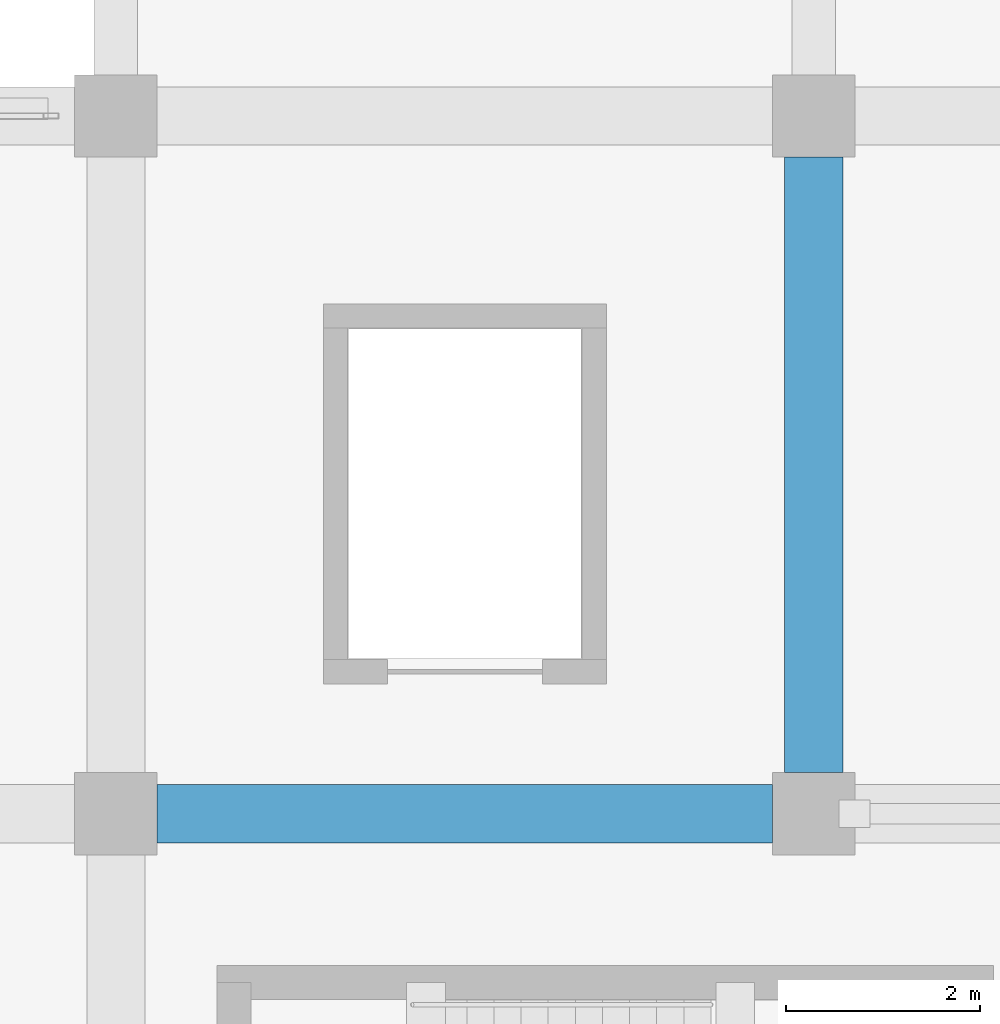
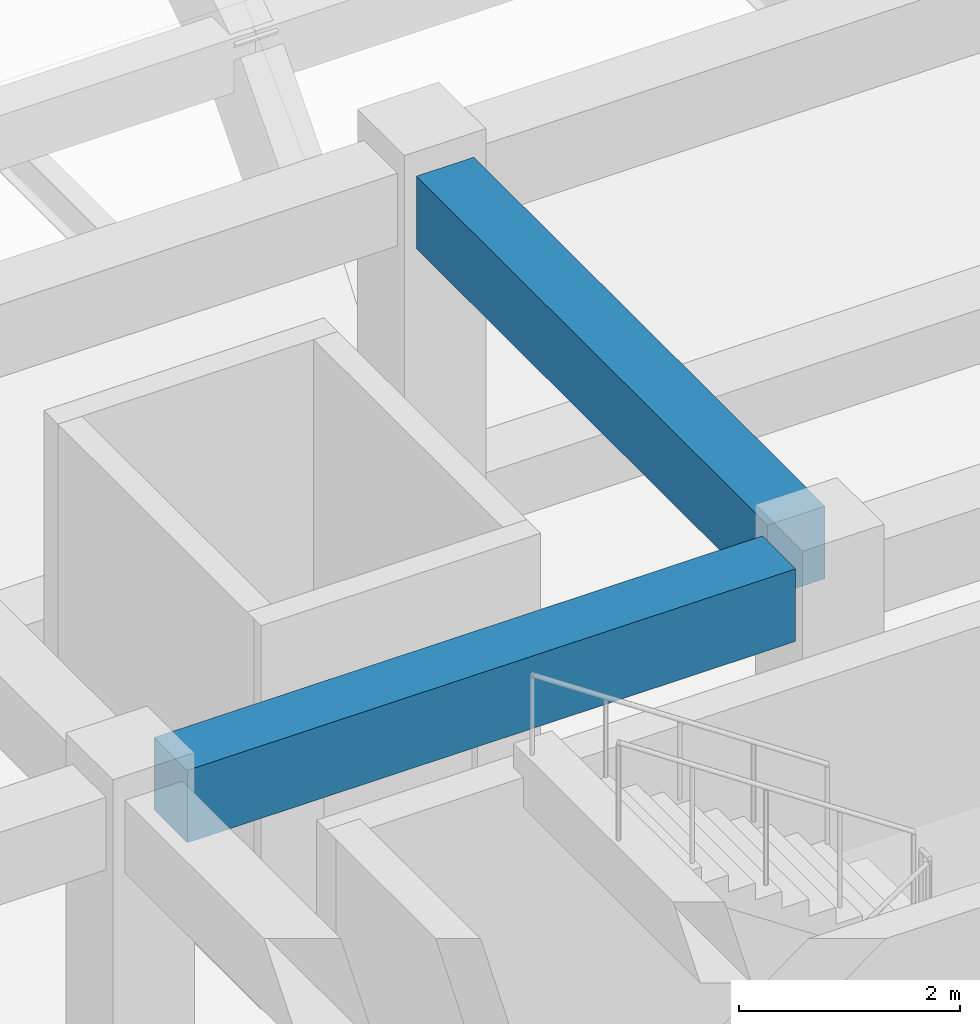
# One storey, part 10 of 48: 2 beams.
"""IFC4 building model written with IfcOpenShell, lengths in metres."""

from ifc_helpers import new_model, si_unit, direction, frame, origin, origin_2d, place, context, subcontext, project, spatial, rectangle, extrude, material, material_profile, profile_set, type_object, element, save


model = new_model("IFC4")

# Units and contexts
model_context = context("Model", 3, precision=1e-05, world=origin(), true_north=direction((0.0, 1.0)))
body_context = subcontext(model_context, "Body", "Model", "MODEL_VIEW")
ifc_project = project(units=[si_unit("LENGTHUNIT", "METRE"), si_unit("AREAUNIT", "SQUARE_METRE"), si_unit("VOLUMEUNIT", "CUBIC_METRE"), si_unit("PLANEANGLEUNIT", "RADIAN"), si_unit("MASSUNIT", "GRAM", prefix="KILO")], contexts=[model_context])

# Site, building, storey
site_placement = place(None, origin())
site = spatial("IfcSite", under=ifc_project, at=site_placement, CompositionType="ELEMENT")
building_placement = place(site_placement, origin())
building = spatial("IfcBuilding", under=site, at=building_placement, Name="Kazehaya Institute of Natural Sciences", CompositionType="ELEMENT")
storey_placement = place(building_placement, frame((0.0, 0.0, 19.800048828125)))
storey = spatial("IfcBuildingStorey", under=building, at=storey_placement, Name="L04", CompositionType="ELEMENT", Elevation=19.800048828125)

# Beams
ifc_material = material(Name="Concrete Fc36", Category="concrete")
ifc_material_profile = material_profile(ifc_material, rectangle(XDim=0.60009765625, YDim=0.800048828125, at=origin_2d()), Name="RC-600x800")
ifc_profile_set = profile_set([ifc_material_profile], Name="Concrete Fc36")
beam_type = type_object("IfcBeamType", Name="BM-G-600x800", PredefinedType="BEAM", material=ifc_profile_set)
beam_1_placement = place(storey_placement, frame((62.22509765625, 28.39990234375, 3.829833984375), z_axis=(1.0, 0.0, 0.0), x_axis=(0.0, 1.0, 0.0)))
element("IfcBeam", 1, at=beam_1_placement, inside=storey, type_object=beam_type, Name="L04 primary X girder BMX-L04-618-284", PredefinedType="BEAM", context=body_context, shape_type="SweptSolid", body=[
    extrude(rectangle(XDim=0.60009765625, YDim=0.800048828125, at=origin_2d()), origin(), (0.0, 0.0, 1.0), 6.349853515625),
])
beam_2_placement = place(storey_placement, frame((69.0, 28.824951171875, 3.829833984375), z_axis=(0.0, 1.0, 0.0), x_axis=(-1.0, 0.0, 0.0)))
element("IfcBeam", 2, at=beam_2_placement, inside=storey, type_object=beam_type, Name="L04 primary Y girder BMY-L04-690-284", PredefinedType="BEAM", context=body_context, shape_type="SweptSolid", body=[
    extrude(rectangle(XDim=0.60009765625, YDim=0.800048828125, at=origin_2d()), origin(), (0.0, 0.0, 1.0), 6.35009765625),
])

save(model, "model.ifc")
